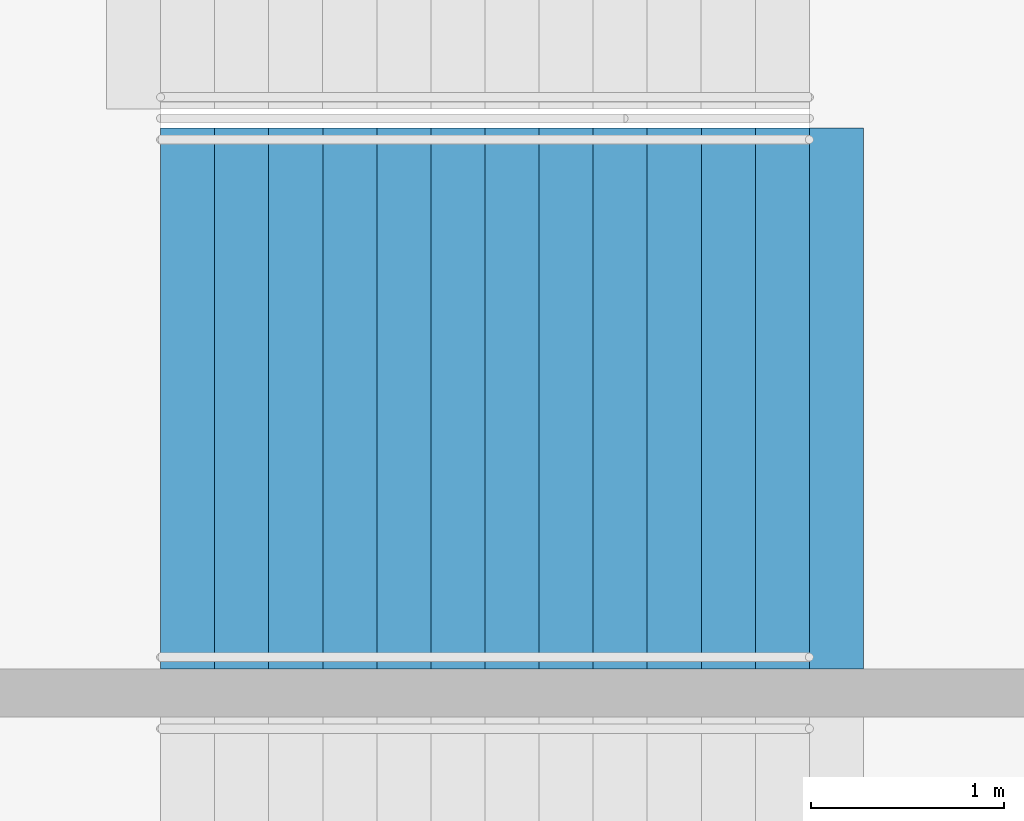
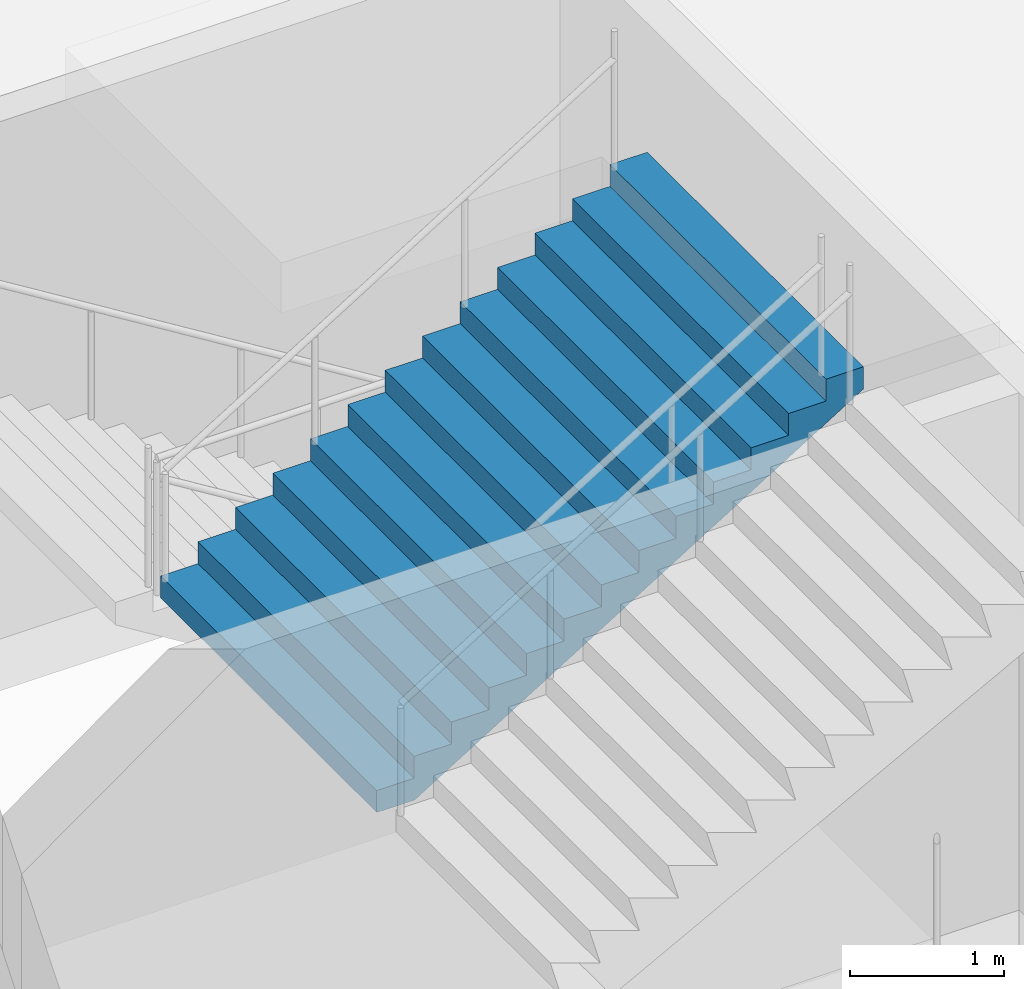
# One storey, part 132 of 199: 1 stair flight, 1 element without a shape of its own.
"""IFC4 building model written with IfcOpenShell, lengths in metres."""

from ifc_helpers import new_model, si_unit, direction, frame, origin, place, context, subcontext, project, spatial, faceted_brep, material, type_object, element, aggregate, save


model = new_model("IFC4")

# Units and contexts
model_context = context("Model", 3, precision=1e-05, world=origin(), true_north=direction((0.0, 1.0)))
body_context = subcontext(model_context, "Body", "Model", "MODEL_VIEW")
ifc_project = project(units=[si_unit("LENGTHUNIT", "METRE"), si_unit("AREAUNIT", "SQUARE_METRE"), si_unit("VOLUMEUNIT", "CUBIC_METRE"), si_unit("PLANEANGLEUNIT", "RADIAN"), si_unit("MASSUNIT", "GRAM", prefix="KILO")], contexts=[model_context])

# Site, building, storey
site_placement = place(None, origin())
site = spatial("IfcSite", under=ifc_project, at=site_placement, CompositionType="ELEMENT")
building_placement = place(site_placement, origin())
building = spatial("IfcBuilding", under=site, at=building_placement, Name="Ogive Plaza Stadium", CompositionType="ELEMENT")
storey_placement = place(building_placement, frame((0.0, 0.0, 4.5)))
storey = spatial("IfcBuildingStorey", under=building, at=storey_placement, Name="L01", CompositionType="ELEMENT", Elevation=4.5)

# Stair, stair flight
ifc_material_1 = material(Name="Concrete C40/50", Category="concrete")
stair_type = type_object("IfcStairType", Name="Exit stair", PredefinedType="STRAIGHT_RUN_STAIR", material=ifc_material_1)
stair_placement = place(storey_placement, origin())
stair = element("IfcStair", 1, at=stair_placement, inside=storey, type_object=stair_type, Name="Exit stair ST24A L01 to L02", PredefinedType="STRAIGHT_RUN_STAIR")
ifc_material_2 = material(Name="Concrete C40/50", Category="concrete")
stair_flight_type = type_object("IfcStairFlightType", Name="Exit stair flight", PredefinedType="STRAIGHT", material=ifc_material_2)
stair_flight_placement = place(storey_placement, frame((-79.7099609375, -5.97509765625, 2.25), z_axis=(0.0, 0.0, 1.0), x_axis=(1.0, 0.0, 0.0)))
stair_flight = element("IfcStairFlight", 2, at=stair_flight_placement, type_object=stair_flight_type, Name="ST24A flight 2", NumberOfRisers=13, NumberOfTreads=12, PredefinedType="STRAIGHT", RiserHeight=0.173076923, TreadLength=0.28, context=body_context, shape_type="Brep", body=[
    faceted_brep([(0.28515625, -1.39990234375, 0.0), (3.639892578125, -1.39990234375, 2.07373046875), (3.639892578125, -1.39990234375, 2.25), (3.360107421875, -1.39990234375, 2.25), (3.360107421875, -1.39990234375, 2.076904296875), (3.080078125, -1.39990234375, 2.076904296875), (3.080078125, -1.39990234375, 1.90380859375), (2.800048828125, -1.39990234375, 1.90380859375), (2.800048828125, -1.39990234375, 1.730712890625), (2.52001953125, -1.39990234375, 1.730712890625), (2.52001953125, -1.39990234375, 1.5576171875), (2.239990234375, -1.39990234375, 1.5576171875), (2.239990234375, -1.39990234375, 1.384521484375), (1.9599609375, -1.39990234375, 1.384521484375), (1.9599609375, -1.39990234375, 1.21142578125), (1.679931640625, -1.39990234375, 1.21142578125), (1.679931640625, -1.39990234375, 1.03857421875), (1.39990234375, -1.39990234375, 1.03857421875), (1.39990234375, -1.39990234375, 0.865478515625), (1.1201171875, -1.39990234375, 0.865478515625), (1.1201171875, -1.39990234375, 0.6923828125), (0.840087890625, -1.39990234375, 0.6923828125), (0.840087890625, -1.39990234375, 0.519287109375), (0.56005859375, -1.39990234375, 0.519287109375), (0.56005859375, -1.39990234375, 0.34619140625), (0.280029296875, -1.39990234375, 0.34619140625), (0.280029296875, -1.39990234375, 0.173095703125), (0.0, -1.39990234375, 0.173095703125), (0.0, -1.39990234375, 0.0), (0.0, 1.39990234375, 0.0), (0.0, 1.39990234375, 0.173095703125), (0.280029296875, 1.39990234375, 0.173095703125), (0.280029296875, 1.39990234375, 0.34619140625), (0.56005859375, 1.39990234375, 0.34619140625), (0.56005859375, 1.39990234375, 0.519287109375), (0.840087890625, 1.39990234375, 0.519287109375), (0.840087890625, 1.39990234375, 0.6923828125), (1.1201171875, 1.39990234375, 0.6923828125), (1.1201171875, 1.39990234375, 0.865478515625), (1.39990234375, 1.39990234375, 0.865478515625), (1.39990234375, 1.39990234375, 1.03857421875), (1.679931640625, 1.39990234375, 1.03857421875), (1.679931640625, 1.39990234375, 1.21142578125), (1.9599609375, 1.39990234375, 1.21142578125), (1.9599609375, 1.39990234375, 1.384521484375), (2.239990234375, 1.39990234375, 1.384521484375), (2.239990234375, 1.39990234375, 1.5576171875), (2.52001953125, 1.39990234375, 1.5576171875), (2.52001953125, 1.39990234375, 1.730712890625), (2.800048828125, 1.39990234375, 1.730712890625), (2.800048828125, 1.39990234375, 1.90380859375), (3.080078125, 1.39990234375, 1.90380859375), (3.080078125, 1.39990234375, 2.076904296875), (3.360107421875, 1.39990234375, 2.076904296875), (3.360107421875, 1.39990234375, 2.25), (3.639892578125, 1.39990234375, 2.25), (3.639892578125, 1.39990234375, 2.07373046875), (0.28515625, 1.39990234375, 0.0), (0.28515625, -1.0888671875, 0.0), (3.639892578125, -1.0888671875, 2.07373046875), (0.28515625, -0.77783203125, 0.0), (3.639892578125, -0.77783203125, 2.07373046875), (0.28515625, -0.466796875, 0.0), (3.639892578125, -0.466796875, 2.07373046875), (0.28515625, -0.155517578125, 0.0), (3.639892578125, -0.155517578125, 2.07373046875), (0.28515625, 0.155517578125, 0.0), (3.639892578125, 0.155517578125, 2.07373046875), (0.28515625, 0.466796875, 0.0), (3.639892578125, 0.466796875, 2.07373046875), (0.28515625, 0.77783203125, 0.0), (3.639892578125, 0.77783203125, 2.07373046875), (0.28515625, 1.0888671875, 0.0), (3.639892578125, 1.0888671875, 2.07373046875), (3.639892578125, -1.0888671875, 2.25), (3.639892578125, -0.77783203125, 2.25), (3.639892578125, -0.466796875, 2.25), (3.639892578125, -0.155517578125, 2.25), (3.639892578125, 0.155517578125, 2.25), (3.639892578125, 0.466796875, 2.25), (3.639892578125, 0.77783203125, 2.25), (3.639892578125, 1.0888671875, 2.25), (3.360107421875, -1.0888671875, 2.25), (3.360107421875, -0.77783203125, 2.25), (3.360107421875, -0.466796875, 2.25), (3.360107421875, -0.155517578125, 2.25), (3.360107421875, 0.155517578125, 2.25), (3.360107421875, 0.466796875, 2.25), (3.360107421875, 0.77783203125, 2.25), (3.360107421875, 1.0888671875, 2.25), (3.360107421875, -1.0888671875, 2.076904296875), (3.360107421875, -0.77783203125, 2.076904296875), (3.360107421875, -0.466796875, 2.076904296875), (3.360107421875, -0.155517578125, 2.076904296875), (3.360107421875, 0.155517578125, 2.076904296875), (3.360107421875, 0.466796875, 2.076904296875), (3.360107421875, 0.77783203125, 2.076904296875), (3.360107421875, 1.0888671875, 2.076904296875), (3.080078125, -1.0888671875, 2.076904296875), (3.080078125, -0.77783203125, 2.076904296875), (3.080078125, -0.466796875, 2.076904296875), (3.080078125, -0.155517578125, 2.076904296875), (3.080078125, 0.155517578125, 2.076904296875), (3.080078125, 0.466796875, 2.076904296875), (3.080078125, 0.77783203125, 2.076904296875), (3.080078125, 1.0888671875, 2.076904296875), (3.080078125, -1.0888671875, 1.90380859375), (3.080078125, -0.77783203125, 1.90380859375), (3.080078125, -0.466796875, 1.90380859375), (3.080078125, -0.155517578125, 1.90380859375), (3.080078125, 0.155517578125, 1.90380859375), (3.080078125, 0.466796875, 1.90380859375), (3.080078125, 0.77783203125, 1.90380859375), (3.080078125, 1.0888671875, 1.90380859375), (2.800048828125, -1.0888671875, 1.90380859375), (2.800048828125, -0.77783203125, 1.90380859375), (2.800048828125, -0.466796875, 1.90380859375), (2.800048828125, -0.155517578125, 1.90380859375), (2.800048828125, 0.155517578125, 1.90380859375), (2.800048828125, 0.466796875, 1.90380859375), (2.800048828125, 0.77783203125, 1.90380859375), (2.800048828125, 1.0888671875, 1.90380859375), (2.800048828125, -1.0888671875, 1.730712890625), (2.800048828125, -0.77783203125, 1.730712890625), (2.800048828125, -0.466796875, 1.730712890625), (2.800048828125, -0.155517578125, 1.730712890625), (2.800048828125, 0.155517578125, 1.730712890625), (2.800048828125, 0.466796875, 1.730712890625), (2.800048828125, 0.77783203125, 1.730712890625), (2.800048828125, 1.0888671875, 1.730712890625), (2.52001953125, -1.0888671875, 1.730712890625), (2.52001953125, -0.77783203125, 1.730712890625), (2.52001953125, -0.466796875, 1.730712890625), (2.52001953125, -0.155517578125, 1.730712890625), (2.52001953125, 0.155517578125, 1.730712890625), (2.52001953125, 0.466796875, 1.730712890625), (2.52001953125, 0.77783203125, 1.730712890625), (2.52001953125, 1.0888671875, 1.730712890625), (2.52001953125, -1.0888671875, 1.5576171875), (2.52001953125, -0.77783203125, 1.5576171875), (2.52001953125, -0.466796875, 1.5576171875), (2.52001953125, -0.155517578125, 1.5576171875), (2.52001953125, 0.155517578125, 1.5576171875), (2.52001953125, 0.466796875, 1.5576171875), (2.52001953125, 0.77783203125, 1.5576171875), (2.52001953125, 1.0888671875, 1.5576171875), (2.239990234375, -1.0888671875, 1.5576171875), (2.239990234375, -0.77783203125, 1.5576171875), (2.239990234375, -0.466796875, 1.5576171875), (2.239990234375, -0.155517578125, 1.5576171875), (2.239990234375, 0.155517578125, 1.5576171875), (2.239990234375, 0.466796875, 1.5576171875), (2.239990234375, 0.77783203125, 1.5576171875), (2.239990234375, 1.0888671875, 1.5576171875), (2.239990234375, -1.0888671875, 1.384521484375), (2.239990234375, -0.77783203125, 1.384521484375), (2.239990234375, -0.466796875, 1.384521484375), (2.239990234375, -0.155517578125, 1.384521484375), (2.239990234375, 0.155517578125, 1.384521484375), (2.239990234375, 0.466796875, 1.384521484375), (2.239990234375, 0.77783203125, 1.384521484375), (2.239990234375, 1.0888671875, 1.384521484375), (1.9599609375, -1.0888671875, 1.384521484375), (1.9599609375, -0.77783203125, 1.384521484375), (1.9599609375, -0.466796875, 1.384521484375), (1.9599609375, -0.155517578125, 1.384521484375), (1.9599609375, 0.155517578125, 1.384521484375), (1.9599609375, 0.466796875, 1.384521484375), (1.9599609375, 0.77783203125, 1.384521484375), (1.9599609375, 1.0888671875, 1.384521484375), (1.9599609375, -1.0888671875, 1.21142578125), (1.9599609375, -0.77783203125, 1.21142578125), (1.9599609375, -0.466796875, 1.21142578125), (1.9599609375, -0.155517578125, 1.21142578125), (1.9599609375, 0.155517578125, 1.21142578125), (1.9599609375, 0.466796875, 1.21142578125), (1.9599609375, 0.77783203125, 1.21142578125), (1.9599609375, 1.0888671875, 1.21142578125), (1.679931640625, -1.0888671875, 1.21142578125), (1.679931640625, -0.77783203125, 1.21142578125), (1.679931640625, -0.466796875, 1.21142578125), (1.679931640625, -0.155517578125, 1.21142578125), (1.679931640625, 0.155517578125, 1.21142578125), (1.679931640625, 0.466796875, 1.21142578125), (1.679931640625, 0.77783203125, 1.21142578125), (1.679931640625, 1.0888671875, 1.21142578125), (1.679931640625, -1.0888671875, 1.03857421875), (1.679931640625, -0.77783203125, 1.03857421875), (1.679931640625, -0.466796875, 1.03857421875), (1.679931640625, -0.155517578125, 1.03857421875), (1.679931640625, 0.155517578125, 1.03857421875), (1.679931640625, 0.466796875, 1.03857421875), (1.679931640625, 0.77783203125, 1.03857421875), (1.679931640625, 1.0888671875, 1.03857421875), (1.39990234375, -1.0888671875, 1.03857421875), (1.39990234375, -0.77783203125, 1.03857421875), (1.39990234375, -0.466796875, 1.03857421875), (1.39990234375, -0.155517578125, 1.03857421875), (1.39990234375, 0.155517578125, 1.03857421875), (1.39990234375, 0.466796875, 1.03857421875), (1.39990234375, 0.77783203125, 1.03857421875), (1.39990234375, 1.0888671875, 1.03857421875), (1.39990234375, -1.0888671875, 0.865478515625), (1.39990234375, -0.77783203125, 0.865478515625), (1.39990234375, -0.466796875, 0.865478515625), (1.39990234375, -0.155517578125, 0.865478515625), (1.39990234375, 0.155517578125, 0.865478515625), (1.39990234375, 0.466796875, 0.865478515625), (1.39990234375, 0.77783203125, 0.865478515625), (1.39990234375, 1.0888671875, 0.865478515625), (1.1201171875, -1.0888671875, 0.865478515625), (1.1201171875, -0.77783203125, 0.865478515625), (1.1201171875, -0.466796875, 0.865478515625), (1.1201171875, -0.155517578125, 0.865478515625), (1.1201171875, 0.155517578125, 0.865478515625), (1.1201171875, 0.466796875, 0.865478515625), (1.1201171875, 0.77783203125, 0.865478515625), (1.1201171875, 1.0888671875, 0.865478515625), (1.1201171875, -1.0888671875, 0.6923828125), (1.1201171875, -0.77783203125, 0.6923828125), (1.1201171875, -0.466796875, 0.6923828125), (1.1201171875, -0.155517578125, 0.6923828125), (1.1201171875, 0.155517578125, 0.6923828125), (1.1201171875, 0.466796875, 0.6923828125), (1.1201171875, 0.77783203125, 0.6923828125), (1.1201171875, 1.0888671875, 0.6923828125), (0.840087890625, -1.0888671875, 0.6923828125), (0.840087890625, -0.77783203125, 0.6923828125), (0.840087890625, -0.466796875, 0.6923828125), (0.840087890625, -0.155517578125, 0.6923828125), (0.840087890625, 0.155517578125, 0.6923828125), (0.840087890625, 0.466796875, 0.6923828125), (0.840087890625, 0.77783203125, 0.6923828125), (0.840087890625, 1.0888671875, 0.6923828125), (0.840087890625, -1.0888671875, 0.519287109375), (0.840087890625, -0.77783203125, 0.519287109375), (0.840087890625, -0.466796875, 0.519287109375), (0.840087890625, -0.155517578125, 0.519287109375), (0.840087890625, 0.155517578125, 0.519287109375), (0.840087890625, 0.466796875, 0.519287109375), (0.840087890625, 0.77783203125, 0.519287109375), (0.840087890625, 1.0888671875, 0.519287109375), (0.56005859375, -1.0888671875, 0.519287109375), (0.56005859375, -0.77783203125, 0.519287109375), (0.56005859375, -0.466796875, 0.519287109375), (0.56005859375, -0.155517578125, 0.519287109375), (0.56005859375, 0.155517578125, 0.519287109375), (0.56005859375, 0.466796875, 0.519287109375), (0.56005859375, 0.77783203125, 0.519287109375), (0.56005859375, 1.0888671875, 0.519287109375), (0.56005859375, -1.0888671875, 0.34619140625), (0.56005859375, -0.77783203125, 0.34619140625), (0.56005859375, -0.466796875, 0.34619140625), (0.56005859375, -0.155517578125, 0.34619140625), (0.56005859375, 0.155517578125, 0.34619140625), (0.56005859375, 0.466796875, 0.34619140625), (0.56005859375, 0.77783203125, 0.34619140625), (0.56005859375, 1.0888671875, 0.34619140625), (0.280029296875, -1.0888671875, 0.34619140625), (0.280029296875, -0.77783203125, 0.34619140625), (0.280029296875, -0.466796875, 0.34619140625), (0.280029296875, -0.155517578125, 0.34619140625), (0.280029296875, 0.155517578125, 0.34619140625), (0.280029296875, 0.466796875, 0.34619140625), (0.280029296875, 0.77783203125, 0.34619140625), (0.280029296875, 1.0888671875, 0.34619140625), (0.280029296875, -1.0888671875, 0.173095703125), (0.280029296875, -0.77783203125, 0.173095703125), (0.280029296875, -0.466796875, 0.173095703125), (0.280029296875, -0.155517578125, 0.173095703125), (0.280029296875, 0.155517578125, 0.173095703125), (0.280029296875, 0.466796875, 0.173095703125), (0.280029296875, 0.77783203125, 0.173095703125), (0.280029296875, 1.0888671875, 0.173095703125), (0.0, -1.0888671875, 0.173095703125), (0.0, -0.77783203125, 0.173095703125), (0.0, -0.466796875, 0.173095703125), (0.0, -0.155517578125, 0.173095703125), (0.0, 0.155517578125, 0.173095703125), (0.0, 0.466796875, 0.173095703125), (0.0, 0.77783203125, 0.173095703125), (0.0, 1.0888671875, 0.173095703125), (0.0, -1.0888671875, 0.0), (0.0, -0.77783203125, 0.0), (0.0, -0.466796875, 0.0), (0.0, -0.155517578125, 0.0), (0.0, 0.155517578125, 0.0), (0.0, 0.466796875, 0.0), (0.0, 0.77783203125, 0.0), (0.0, 1.0888671875, 0.0)], [[[0, 1, 2, 3, 4, 5, 6, 7, 8, 9, 10, 11, 12, 13, 14, 15, 16, 17, 18, 19, 20, 21, 22, 23, 24, 25, 26, 27, 28]], [[29, 30, 31, 32, 33, 34, 35, 36, 37, 38, 39, 40, 41, 42, 43, 44, 45, 46, 47, 48, 49, 50, 51, 52, 53, 54, 55, 56, 57]], [[0, 58, 59, 1]], [[58, 60, 61, 59]], [[60, 62, 63, 61]], [[62, 64, 65, 63]], [[64, 66, 67, 65]], [[66, 68, 69, 67]], [[68, 70, 71, 69]], [[70, 72, 73, 71]], [[72, 57, 56, 73]], [[1, 59, 74, 2]], [[59, 61, 75, 74]], [[61, 63, 76, 75]], [[63, 65, 77, 76]], [[65, 67, 78, 77]], [[67, 69, 79, 78]], [[69, 71, 80, 79]], [[71, 73, 81, 80]], [[73, 56, 55, 81]], [[2, 74, 82, 3]], [[74, 75, 83, 82]], [[75, 76, 84, 83]], [[76, 77, 85, 84]], [[77, 78, 86, 85]], [[78, 79, 87, 86]], [[79, 80, 88, 87]], [[80, 81, 89, 88]], [[81, 55, 54, 89]], [[3, 82, 90, 4]], [[82, 83, 91, 90]], [[83, 84, 92, 91]], [[84, 85, 93, 92]], [[85, 86, 94, 93]], [[86, 87, 95, 94]], [[87, 88, 96, 95]], [[88, 89, 97, 96]], [[89, 54, 53, 97]], [[4, 90, 98, 5]], [[90, 91, 99, 98]], [[91, 92, 100, 99]], [[92, 93, 101, 100]], [[93, 94, 102, 101]], [[94, 95, 103, 102]], [[95, 96, 104, 103]], [[96, 97, 105, 104]], [[97, 53, 52, 105]], [[5, 98, 106, 6]], [[98, 99, 107, 106]], [[99, 100, 108, 107]], [[100, 101, 109, 108]], [[101, 102, 110, 109]], [[102, 103, 111, 110]], [[103, 104, 112, 111]], [[104, 105, 113, 112]], [[105, 52, 51, 113]], [[6, 106, 114, 7]], [[106, 107, 115, 114]], [[107, 108, 116, 115]], [[108, 109, 117, 116]], [[109, 110, 118, 117]], [[110, 111, 119, 118]], [[111, 112, 120, 119]], [[112, 113, 121, 120]], [[113, 51, 50, 121]], [[7, 114, 122, 8]], [[114, 115, 123, 122]], [[115, 116, 124, 123]], [[116, 117, 125, 124]], [[117, 118, 126, 125]], [[118, 119, 127, 126]], [[119, 120, 128, 127]], [[120, 121, 129, 128]], [[121, 50, 49, 129]], [[8, 122, 130, 9]], [[122, 123, 131, 130]], [[123, 124, 132, 131]], [[124, 125, 133, 132]], [[125, 126, 134, 133]], [[126, 127, 135, 134]], [[127, 128, 136, 135]], [[128, 129, 137, 136]], [[129, 49, 48, 137]], [[9, 130, 138, 10]], [[130, 131, 139, 138]], [[131, 132, 140, 139]], [[132, 133, 141, 140]], [[133, 134, 142, 141]], [[134, 135, 143, 142]], [[135, 136, 144, 143]], [[136, 137, 145, 144]], [[137, 48, 47, 145]], [[10, 138, 146, 11]], [[138, 139, 147, 146]], [[139, 140, 148, 147]], [[140, 141, 149, 148]], [[141, 142, 150, 149]], [[142, 143, 151, 150]], [[143, 144, 152, 151]], [[144, 145, 153, 152]], [[145, 47, 46, 153]], [[11, 146, 154, 12]], [[146, 147, 155, 154]], [[147, 148, 156, 155]], [[148, 149, 157, 156]], [[149, 150, 158, 157]], [[150, 151, 159, 158]], [[151, 152, 160, 159]], [[152, 153, 161, 160]], [[153, 46, 45, 161]], [[12, 154, 162, 13]], [[154, 155, 163, 162]], [[155, 156, 164, 163]], [[156, 157, 165, 164]], [[157, 158, 166, 165]], [[158, 159, 167, 166]], [[159, 160, 168, 167]], [[160, 161, 169, 168]], [[161, 45, 44, 169]], [[13, 162, 170, 14]], [[162, 163, 171, 170]], [[163, 164, 172, 171]], [[164, 165, 173, 172]], [[165, 166, 174, 173]], [[166, 167, 175, 174]], [[167, 168, 176, 175]], [[168, 169, 177, 176]], [[169, 44, 43, 177]], [[14, 170, 178, 15]], [[170, 171, 179, 178]], [[171, 172, 180, 179]], [[172, 173, 181, 180]], [[173, 174, 182, 181]], [[174, 175, 183, 182]], [[175, 176, 184, 183]], [[176, 177, 185, 184]], [[177, 43, 42, 185]], [[15, 178, 186, 16]], [[178, 179, 187, 186]], [[179, 180, 188, 187]], [[180, 181, 189, 188]], [[181, 182, 190, 189]], [[182, 183, 191, 190]], [[183, 184, 192, 191]], [[184, 185, 193, 192]], [[185, 42, 41, 193]], [[16, 186, 194, 17]], [[186, 187, 195, 194]], [[187, 188, 196, 195]], [[188, 189, 197, 196]], [[189, 190, 198, 197]], [[190, 191, 199, 198]], [[191, 192, 200, 199]], [[192, 193, 201, 200]], [[193, 41, 40, 201]], [[17, 194, 202, 18]], [[194, 195, 203, 202]], [[195, 196, 204, 203]], [[196, 197, 205, 204]], [[197, 198, 206, 205]], [[198, 199, 207, 206]], [[199, 200, 208, 207]], [[200, 201, 209, 208]], [[201, 40, 39, 209]], [[18, 202, 210, 19]], [[202, 203, 211, 210]], [[203, 204, 212, 211]], [[204, 205, 213, 212]], [[205, 206, 214, 213]], [[206, 207, 215, 214]], [[207, 208, 216, 215]], [[208, 209, 217, 216]], [[209, 39, 38, 217]], [[19, 210, 218, 20]], [[210, 211, 219, 218]], [[211, 212, 220, 219]], [[212, 213, 221, 220]], [[213, 214, 222, 221]], [[214, 215, 223, 222]], [[215, 216, 224, 223]], [[216, 217, 225, 224]], [[217, 38, 37, 225]], [[20, 218, 226, 21]], [[218, 219, 227, 226]], [[219, 220, 228, 227]], [[220, 221, 229, 228]], [[221, 222, 230, 229]], [[222, 223, 231, 230]], [[223, 224, 232, 231]], [[224, 225, 233, 232]], [[225, 37, 36, 233]], [[21, 226, 234, 22]], [[226, 227, 235, 234]], [[227, 228, 236, 235]], [[228, 229, 237, 236]], [[229, 230, 238, 237]], [[230, 231, 239, 238]], [[231, 232, 240, 239]], [[232, 233, 241, 240]], [[233, 36, 35, 241]], [[22, 234, 242, 23]], [[234, 235, 243, 242]], [[235, 236, 244, 243]], [[236, 237, 245, 244]], [[237, 238, 246, 245]], [[238, 239, 247, 246]], [[239, 240, 248, 247]], [[240, 241, 249, 248]], [[241, 35, 34, 249]], [[23, 242, 250, 24]], [[242, 243, 251, 250]], [[243, 244, 252, 251]], [[244, 245, 253, 252]], [[245, 246, 254, 253]], [[246, 247, 255, 254]], [[247, 248, 256, 255]], [[248, 249, 257, 256]], [[249, 34, 33, 257]], [[24, 250, 258, 25]], [[250, 251, 259, 258]], [[251, 252, 260, 259]], [[252, 253, 261, 260]], [[253, 254, 262, 261]], [[254, 255, 263, 262]], [[255, 256, 264, 263]], [[256, 257, 265, 264]], [[257, 33, 32, 265]], [[25, 258, 266, 26]], [[258, 259, 267, 266]], [[259, 260, 268, 267]], [[260, 261, 269, 268]], [[261, 262, 270, 269]], [[262, 263, 271, 270]], [[263, 264, 272, 271]], [[264, 265, 273, 272]], [[265, 32, 31, 273]], [[26, 266, 274, 27]], [[266, 267, 275, 274]], [[267, 268, 276, 275]], [[268, 269, 277, 276]], [[269, 270, 278, 277]], [[270, 271, 279, 278]], [[271, 272, 280, 279]], [[272, 273, 281, 280]], [[273, 31, 30, 281]], [[27, 274, 282, 28]], [[274, 275, 283, 282]], [[275, 276, 284, 283]], [[276, 277, 285, 284]], [[277, 278, 286, 285]], [[278, 279, 287, 286]], [[279, 280, 288, 287]], [[280, 281, 289, 288]], [[281, 30, 29, 289]], [[28, 282, 58, 0]], [[282, 283, 60, 58]], [[283, 284, 62, 60]], [[284, 285, 64, 62]], [[285, 286, 66, 64]], [[286, 287, 68, 66]], [[287, 288, 70, 68]], [[288, 289, 72, 70]], [[289, 29, 57, 72]]]),
])
aggregate(stair, [stair_flight])

save(model, "model.ifc")
